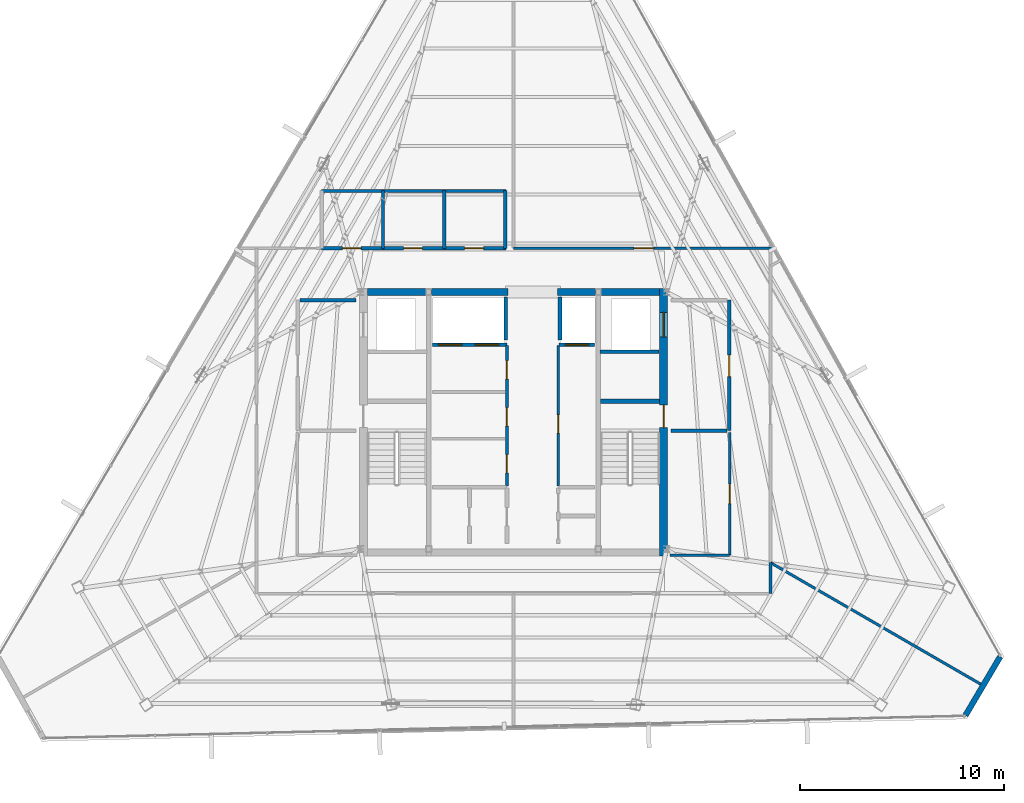
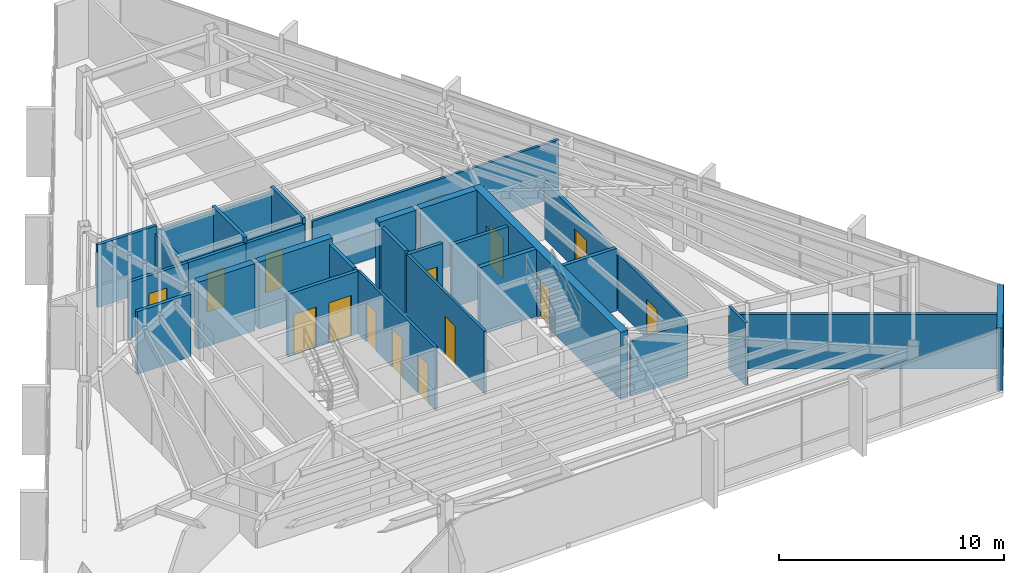
# One storey, part 45 of 48: 31 walls, 15 doors, 15 openings.
"""IFC4 building model written with IfcOpenShell, lengths in metres."""

from ifc_helpers import new_model, si_unit, direction, frame, frame_2d, origin, place, context, subcontext, project, spatial, rectangle, extrude, material, layer, layer_set, type_object, element, fill, save


model = new_model("IFC4")

# Units and contexts
model_context = context("Model", 3, precision=1e-05, world=origin(), true_north=direction((0.0, 1.0)))
body_context = subcontext(model_context, "Body", "Model", "MODEL_VIEW")
ifc_project = project(units=[si_unit("LENGTHUNIT", "METRE"), si_unit("AREAUNIT", "SQUARE_METRE"), si_unit("VOLUMEUNIT", "CUBIC_METRE"), si_unit("PLANEANGLEUNIT", "RADIAN"), si_unit("MASSUNIT", "GRAM", prefix="KILO")], contexts=[model_context])

# Site, building, storey
site_placement = place(None, origin())
site = spatial("IfcSite", under=ifc_project, at=site_placement, CompositionType="ELEMENT")
building_placement = place(site_placement, origin())
building = spatial("IfcBuilding", under=site, at=building_placement, Name="Caelisora Broadcast Tower", CompositionType="ELEMENT")
storey_placement = place(building_placement, frame((0.0, 0.0, 277.300048828125)))
storey = spatial("IfcBuildingStorey", under=building, at=storey_placement, Name="L73", CompositionType="ELEMENT", Elevation=277.300048828125)

# Wall, openings, doors
ifc_material_1 = material(Name="Concrete 40 MPa (AS 3600 N40)", Category="concrete")
ifc_layer_1 = layer(ifc_material_1, 0.39990234375, Name="Concrete 40 MPa (AS 3600 N40)")
ifc_layer_set_1 = layer_set([ifc_layer_1], Name="Concrete 40 MPa (AS 3600 N40)")
wall_type_1 = type_object("IfcWallType", Name="CW3", PredefinedType="SHEAR", material=ifc_layer_set_1)
wall_1_placement = place(storey_placement, frame((45.360107421875, 17.050048828125, 0.0), z_axis=(0.0, 0.0, 1.0), x_axis=(0.0, 1.0, 0.0)))
wall_1 = element("IfcWall", 1, at=wall_1_placement, inside=storey, type_object=wall_type_1, Name="L73 core shear wall CW3", PredefinedType="SHEAR", context=body_context, shape_type="SweptSolid", body=[
    extrude(rectangle(XDim=13.125, YDim=0.39990234375, at=frame_2d((6.5625, 0.0))), origin(), (0.0, 0.0, 1.0), 3.64990234375),
])
opening_1_placement = place(wall_1_placement, frame((6.300048828125, 0.0, 0.0)))
opening_1 = element("IfcOpeningElement", 2, at=opening_1_placement, cuts=wall_1, Name="Opening FD04", PredefinedType="OPENING", context=body_context, shape_type="SweptSolid", body=[
    extrude(rectangle(XDim=1.1201171875, YDim=2.14990234375, at=frame_2d((0.56005859375, 1.074951171875))), frame((0.0, 0.2119140625, 0.0), z_axis=(0.0, -1.0, 0.0), x_axis=(1.0, 0.0, 0.0)), (0.0, 0.0, 1.0), 0.423828125),
])
opening_2_placement = place(wall_1_placement, frame((10.75, 0.0, 0.0)))
opening_2 = element("IfcOpeningElement", 3, at=opening_2_placement, cuts=wall_1, Name="Opening LD04", PredefinedType="OPENING", context=body_context, shape_type="SweptSolid", body=[
    extrude(rectangle(XDim=1.199951171875, YDim=2.199951171875, at=frame_2d((0.60009765625, 1.10009765625))), frame((0.0, 0.2119140625, 0.0), z_axis=(0.0, -1.0, 0.0), x_axis=(1.0, 0.0, 0.0)), (0.0, 0.0, 1.0), 0.423828125),
])
ifc_material_2 = material(Name="Pressurised Fire-Isolated Stair Door", Category="steel")
door_type_1 = type_object("IfcDoorType", Name="FD04", OperationType="NOTDEFINED", PredefinedType="DOOR", material=ifc_material_2)
door_1_placement = place(opening_1_placement, origin())
door_1 = element("IfcDoor", 4, at=door_1_placement, inside=storey, type_object=door_type_1, Name="L73 door FD04 (L73-DR-ST2)", OperationType="SINGLE_SWING_RIGHT", OverallHeight=2.14990234375, OverallWidth=1.1201171875, PredefinedType="DOOR", context=body_context, shape_type="SweptSolid", body=[
    extrude(rectangle(XDim=1.1201171875, YDim=2.14990234375, at=frame_2d((0.56005859375, 1.074951171875))), frame((0.0, 0.02490234375, 0.0), z_axis=(0.0, -1.0, 0.0), x_axis=(1.0, 0.0, 0.0)), (0.0, 0.0, 1.0), 0.050048828125),
])
fill(opening_1, door_1)
ifc_material_3 = material(Name="Emergency Firefighting Lift Sliding Landing Door", Category="steel")
door_type_2 = type_object("IfcDoorType", Name="LD04", OperationType="NOTDEFINED", PredefinedType="DOOR", material=ifc_material_3)
door_2_placement = place(opening_2_placement, origin())
door_2 = element("IfcDoor", 5, at=door_2_placement, inside=storey, type_object=door_type_2, Name="L73 door LD04 (L73-LD-FFL2)", OperationType="SLIDING_TO_RIGHT", OverallHeight=2.199951171875, OverallWidth=1.199951171875, PredefinedType="DOOR", context=body_context, shape_type="SweptSolid", body=[
    extrude(rectangle(XDim=1.199951171875, YDim=2.199951171875, at=frame_2d((0.60009765625, 1.10009765625))), frame((0.0, 0.02490234375, 0.0), z_axis=(0.0, -1.0, 0.0), x_axis=(1.0, 0.0, 0.0)), (0.0, 0.0, 1.0), 0.050048828125),
])
fill(opening_2, door_2)

# Walls
ifc_layer_2 = layer(ifc_material_1, 0.35009765625, Name="Concrete 40 MPa (AS 3600 N40)")
ifc_layer_set_2 = layer_set([ifc_layer_2], Name="Concrete 40 MPa (AS 3600 N40)")
wall_type_2 = type_object("IfcWallType", Name="CW6", PredefinedType="SHEAR", material=ifc_layer_set_2)
wall_2_placement = place(storey_placement, frame((30.840087890625, 30.0, 0.0), z_axis=(0.0, 0.0, 1.0), x_axis=(1.0, 0.0, 0.0)))
element("IfcWall", 6, at=wall_2_placement, inside=storey, type_object=wall_type_2, Name="L73 core shear wall CW6", PredefinedType="SHEAR", context=body_context, shape_type="SweptSolid", body=[
    extrude(rectangle(XDim=2.89990234375, YDim=0.35009765625, at=frame_2d((1.449951171875, 0.0))), origin(), (0.0, 0.0, 1.0), 3.64990234375),
])
wall_3_placement = place(storey_placement, frame((33.9599609375, 30.0, 0.0), z_axis=(0.0, 0.0, 1.0), x_axis=(1.0, 0.0, 0.0)))
element("IfcWall", 7, at=wall_3_placement, inside=storey, type_object=wall_type_2, Name="L73 core shear wall CW6", PredefinedType="SHEAR", context=body_context, shape_type="SweptSolid", body=[
    extrude(rectangle(XDim=3.780029296875, YDim=0.35009765625, at=frame_2d((1.89013671875, 0.0))), origin(), (0.0, 0.0, 1.0), 3.64990234375),
])
wall_4_placement = place(storey_placement, frame((40.159912109375, 30.0, 0.0), z_axis=(0.0, 0.0, 1.0), x_axis=(1.0, 0.0, 0.0)))
element("IfcWall", 8, at=wall_4_placement, inside=storey, type_object=wall_type_2, Name="L73 core shear wall CW6", PredefinedType="SHEAR", context=body_context, shape_type="SweptSolid", body=[
    extrude(rectangle(XDim=1.880126953125, YDim=0.35009765625, at=frame_2d((0.93994140625, 0.0))), origin(), (0.0, 0.0, 1.0), 3.64990234375),
])
wall_5_placement = place(storey_placement, frame((42.260009765625, 30.0, 0.0), z_axis=(0.0, 0.0, 1.0), x_axis=(1.0, 0.0, 0.0)))
element("IfcWall", 9, at=wall_5_placement, inside=storey, type_object=wall_type_2, Name="L73 core shear wall CW6", PredefinedType="SHEAR", context=body_context, shape_type="SweptSolid", body=[
    extrude(rectangle(XDim=2.89990234375, YDim=0.35009765625, at=frame_2d((1.449951171875, 0.0))), origin(), (0.0, 0.0, 1.0), 3.64990234375),
])
ifc_material_4 = material(Name="Concrete 50 MPa (AS 3600 S50)", Category="concrete")
ifc_layer_3 = layer(ifc_material_4, 0.219970703125, Name="Concrete 50 MPa (AS 3600 S50)")
ifc_layer_set_3 = layer_set([ifc_layer_3], Name="Concrete 50 MPa (AS 3600 S50)")
wall_type_3 = type_object("IfcWallType", Name="CW7", PredefinedType="SHEAR", material=ifc_layer_set_3)
wall_6_placement = place(storey_placement, frame((42.260009765625, 24.639892578125, 0.0), z_axis=(0.0, 0.0, 1.0), x_axis=(1.0, 0.0, 0.0)))
element("IfcWall", 10, at=wall_6_placement, inside=storey, type_object=wall_type_3, Name="L73 core shear wall CW7", PredefinedType="SHEAR", context=body_context, shape_type="SweptSolid", body=[
    extrude(rectangle(XDim=2.89990234375, YDim=0.219970703125, at=frame_2d((1.449951171875, 0.0))), origin(), (0.0, 0.0, 1.0), 3.64990234375),
])
ifc_material_5 = material(Name="Insulated Terracotta Spandrel Wall System", Category="masonry")
ifc_layer_4 = layer(ifc_material_5, 0.280029296875, Name="Insulated Terracotta Spandrel Wall System")
ifc_layer_set_4 = layer_set([ifc_layer_4], Name="Insulated Terracotta Spandrel Wall System")
wall_type_4 = type_object("IfcWallType", Name="EW1", PredefinedType="STANDARD", material=ifc_layer_set_4)
wall_7_placement = place(storey_placement, frame((61.86376953125, 12.1181640625, 0.0), z_axis=(0.0, 0.0, 1.0), x_axis=(-0.508591617567, -0.861007878327, 0.0)))
element("IfcWall", 11, at=wall_7_placement, inside=storey, type_object=wall_type_4, Name="L73 exterior envelope wall EW1", PredefinedType="STANDARD", context=body_context, shape_type="SweptSolid", body=[
    extrude(rectangle(XDim=3.345458984375, YDim=0.280029296875, at=frame_2d((1.6728515625, 0.0))), origin(), (0.0, 0.0, 1.0), 3.39990234375),
])

# Wall, openings, doors
ifc_material_6 = material(Name="Fire-Rated Gypsum Shaft and Compartment Wall", Category="gypsum")
ifc_layer_5 = layer(ifc_material_6, 0.179931640625, Name="Fire-Rated Gypsum Shaft and Compartment Wall")
ifc_layer_set_5 = layer_set([ifc_layer_5], Name="Fire-Rated Gypsum Shaft and Compartment Wall")
wall_type_5 = type_object("IfcWallType", Name="PW2", PredefinedType="PARTITIONING", material=ifc_layer_set_5)
wall_8_placement = place(storey_placement, frame((34.02001953125, 27.419921875, 0.0), z_axis=(0.0, 0.0, 1.0), x_axis=(1.0, 0.0, 0.0)))
wall_8 = element("IfcWall", 12, at=wall_8_placement, inside=storey, type_object=wall_type_5, Name="L73 fire compartment wall PW2", PredefinedType="PARTITIONING", context=body_context, shape_type="SweptSolid", body=[
    extrude(rectangle(XDim=3.659912109375, YDim=0.179931640625, at=frame_2d((1.830078125, 0.0))), origin(), (0.0, 0.0, 1.0), 3.39990234375),
])
opening_3_placement = place(wall_8_placement, frame((0.300048828125, 0.0, 0.0)))
opening_3 = element("IfcOpeningElement", 13, at=opening_3_placement, cuts=wall_8, Name="Opening LD02", PredefinedType="OPENING", context=body_context, shape_type="SweptSolid", body=[
    extrude(rectangle(XDim=1.14990234375, YDim=2.199951171875, at=frame_2d((0.574951171875, 1.10009765625))), frame((0.0, 0.10205078125, 0.0), z_axis=(0.0, -1.0, 0.0), x_axis=(1.0, 0.0, 0.0)), (0.0, 0.0, 1.0), 0.203857421875),
])
opening_4_placement = place(wall_8_placement, frame((2.10009765625, 0.0, 0.0)))
opening_4 = element("IfcOpeningElement", 14, at=opening_4_placement, cuts=wall_8, Name="Opening LD02", PredefinedType="OPENING", context=body_context, shape_type="SweptSolid", body=[
    extrude(rectangle(XDim=1.14990234375, YDim=2.199951171875, at=frame_2d((0.574951171875, 1.10009765625))), frame((0.0, 0.10205078125, 0.0), z_axis=(0.0, -1.0, 0.0), x_axis=(1.0, 0.0, 0.0)), (0.0, 0.0, 1.0), 0.203857421875),
])
ifc_material_7 = material(Name="High-Speed Express Lift Sliding Landing Door", Category="steel")
door_type_3 = type_object("IfcDoorType", Name="LD02", OperationType="NOTDEFINED", PredefinedType="DOOR", material=ifc_material_7)
door_3_placement = place(opening_3_placement, origin())
door_3 = element("IfcDoor", 15, at=door_3_placement, inside=storey, type_object=door_type_3, Name="L73 door LD02 (L73-LD-PLH1)", OperationType="SLIDING_TO_RIGHT", OverallHeight=2.199951171875, OverallWidth=1.14990234375, PredefinedType="DOOR", context=body_context, shape_type="SweptSolid", body=[
    extrude(rectangle(XDim=1.14990234375, YDim=2.199951171875, at=frame_2d((0.574951171875, 1.10009765625))), frame((0.0, 0.02490234375, 0.0), z_axis=(0.0, -1.0, 0.0), x_axis=(1.0, 0.0, 0.0)), (0.0, 0.0, 1.0), 0.050048828125),
])
fill(opening_3, door_3)
door_4_placement = place(opening_4_placement, origin())
door_4 = element("IfcDoor", 16, at=door_4_placement, inside=storey, type_object=door_type_3, Name="L73 door LD02 (L73-LD-PLH2)", OperationType="SLIDING_TO_LEFT", OverallHeight=2.199951171875, OverallWidth=1.14990234375, PredefinedType="DOOR", context=body_context, shape_type="SweptSolid", body=[
    extrude(rectangle(XDim=1.14990234375, YDim=2.199951171875, at=frame_2d((0.574951171875, 1.10009765625))), frame((0.0, 0.02490234375, 0.0), z_axis=(0.0, -1.0, 0.0), x_axis=(1.0, 0.0, 0.0)), (0.0, 0.0, 1.0), 0.050048828125),
])
fill(opening_4, door_4)

# Wall, opening, door
wall_9_placement = place(storey_placement, frame((40.219970703125, 27.419921875, 0.0), z_axis=(0.0, 0.0, 1.0), x_axis=(1.0, 0.0, 0.0)))
wall_9 = element("IfcWall", 17, at=wall_9_placement, inside=storey, type_object=wall_type_5, Name="L73 fire compartment wall PW2", PredefinedType="PARTITIONING", context=body_context, shape_type="SweptSolid", body=[
    extrude(rectangle(XDim=1.760009765625, YDim=0.179931640625, at=frame_2d((0.8798828125, 0.0))), origin(), (0.0, 0.0, 1.0), 3.39990234375),
])
opening_5_placement = place(wall_9_placement, frame((0.320068359375, 0.0, 0.0)))
opening_5 = element("IfcOpeningElement", 18, at=opening_5_placement, cuts=wall_9, Name="Opening LD02", PredefinedType="OPENING", context=body_context, shape_type="SweptSolid", body=[
    extrude(rectangle(XDim=1.14990234375, YDim=2.199951171875, at=frame_2d((0.574951171875, 1.10009765625))), frame((0.0, 0.10205078125, 0.0), z_axis=(0.0, -1.0, 0.0), x_axis=(1.0, 0.0, 0.0)), (0.0, 0.0, 1.0), 0.203857421875),
])
door_5_placement = place(opening_5_placement, origin())
door_5 = element("IfcDoor", 19, at=door_5_placement, inside=storey, type_object=door_type_3, Name="L73 door LD02 (L73-LD-PLH3)", OperationType="SLIDING_TO_RIGHT", OverallHeight=2.199951171875, OverallWidth=1.14990234375, PredefinedType="DOOR", context=body_context, shape_type="SweptSolid", body=[
    extrude(rectangle(XDim=1.14990234375, YDim=2.199951171875, at=frame_2d((0.574951171875, 1.10009765625))), frame((0.0, 0.02490234375, 0.0), z_axis=(0.0, -1.0, 0.0), x_axis=(1.0, 0.0, 0.0)), (0.0, 0.0, 1.0), 0.050048828125),
])
fill(opening_5, door_5)

# Walls
for number, where, z_axis, x_axis, name in (
    (20, (37.6201171875, 27.639892578125, 0.0), (0.0, 0.0, 1.0), (0.0, 1.0, 0.0), "L73 fire compartment wall PW2"),
    (21, (40.280029296875, 27.639892578125, 0.0), (0.0, 0.0, 1.0), (0.0, 1.0, 0.0), "L73 fire compartment wall PW2"),
):
    element("IfcWall", number, at=place(storey_placement, frame(where, z_axis=z_axis, x_axis=x_axis)), inside=storey, type_object=wall_type_5, Name=name, PredefinedType="PARTITIONING", context=body_context, shape_type="SweptSolid", body=[
        extrude(rectangle(XDim=2.110107421875, YDim=0.179931640625, at=frame_2d((1.05517578125, 0.0))), origin(), (0.0, 0.0, 1.0), 3.39990234375),
    ])
wall_10_placement = place(storey_placement, frame((27.52001953125, 29.60009765625, 0.0), z_axis=(0.0, 0.0, 1.0), x_axis=(1.0, 0.0, 0.0)))
element("IfcWall", 22, at=wall_10_placement, inside=storey, type_object=wall_type_5, Name="L73 fire compartment wall PW2", PredefinedType="PARTITIONING", context=body_context, shape_type="SweptSolid", body=[
    extrude(rectangle(XDim=2.760009765625, YDim=0.179931640625, at=frame_2d((1.3798828125, 0.0))), origin(), (0.0, 0.0, 1.0), 3.39990234375),
])

# Wall, opening, door
wall_11_placement = place(storey_placement, frame((48.580078125, 23.199951171875, 0.0), z_axis=(0.0, 0.0, 1.0), x_axis=(0.0, 1.0, 0.0)))
wall_11 = element("IfcWall", 23, at=wall_11_placement, inside=storey, type_object=wall_type_5, Name="L73 fire compartment wall PW2", PredefinedType="PARTITIONING", context=body_context, shape_type="SweptSolid", body=[
    extrude(rectangle(XDim=6.400146484375, YDim=0.179931640625, at=frame_2d((3.2001953125, 0.0))), origin(), (0.0, 0.0, 1.0), 3.0849609375),
])
opening_6_placement = place(wall_11_placement, frame((2.64990234375, 0.0, 0.0)))
opening_6 = element("IfcOpeningElement", 24, at=opening_6_placement, cuts=wall_11, Name="Opening FD02", PredefinedType="OPENING", context=body_context, shape_type="SweptSolid", body=[
    extrude(rectangle(XDim=1.050048828125, YDim=2.14990234375, at=frame_2d((0.52490234375, 1.074951171875))), frame((0.0, 0.10205078125, 0.0), z_axis=(0.0, -1.0, 0.0), x_axis=(1.0, 0.0, 0.0)), (0.0, 0.0, 1.0), 0.203857421875),
])
ifc_material_8 = material(Name="Single-Leaf Steel Fire Lobby Door", Category="steel")
door_type_4 = type_object("IfcDoorType", Name="FD02", OperationType="NOTDEFINED", PredefinedType="DOOR", material=ifc_material_8)
door_6_placement = place(opening_6_placement, origin())
door_6 = element("IfcDoor", 25, at=door_6_placement, inside=storey, type_object=door_type_4, Name="L73 door FD02 (L73-DR-P04D1)", OperationType="SINGLE_SWING_LEFT", OverallHeight=2.14990234375, OverallWidth=1.050048828125, PredefinedType="DOOR", context=body_context, shape_type="SweptSolid", body=[
    extrude(rectangle(XDim=1.050048828125, YDim=2.14990234375, at=frame_2d((0.52490234375, 1.074951171875))), frame((0.0, 0.02490234375, 0.0), z_axis=(0.0, -1.0, 0.0), x_axis=(1.0, 0.0, 0.0)), (0.0, 0.0, 1.0), 0.050048828125),
])
fill(opening_6, door_6)

# Walls
wall_12_placement = place(storey_placement, frame((45.719970703125, 23.199951171875, 0.0), z_axis=(0.0, 0.0, 1.0), x_axis=(1.0, 0.0, 0.0)))
element("IfcWall", 26, at=wall_12_placement, inside=storey, type_object=wall_type_5, Name="L73 fire compartment wall PW2", PredefinedType="PARTITIONING", context=body_context, shape_type="SweptSolid", body=[
    extrude(rectangle(XDim=2.760009765625, YDim=0.179931640625, at=frame_2d((1.3798828125, 0.0))), origin(), (0.0, 0.0, 1.0), 3.39990234375),
])
wall_13_placement = place(storey_placement, frame((42.239990234375, 27.070068359375, 0.0), z_axis=(0.0, 0.0, 1.0), x_axis=(1.0, 0.0, 0.0)))
element("IfcWall", 27, at=wall_13_placement, inside=storey, type_object=wall_type_5, Name="L73 fire compartment wall PW2", PredefinedType="PARTITIONING", context=body_context, shape_type="SweptSolid", body=[
    extrude(rectangle(XDim=2.89990234375, YDim=0.179931640625, at=frame_2d((1.449951171875, 0.0))), origin(), (0.0, 0.0, 1.0), 3.39990234375),
])

# Wall, openings, doors
ifc_material_9 = material(Name="Acoustic Steel-Stud Plasterboard Partition", Category="gypsum")
ifc_layer_6 = layer(ifc_material_9, 0.1298828125, Name="Acoustic Steel-Stud Plasterboard Partition")
ifc_layer_set_6 = layer_set([ifc_layer_6], Name="Acoustic Steel-Stud Plasterboard Partition")
wall_type_6 = type_object("IfcWallType", Name="PW3", PredefinedType="PARTITIONING", material=ifc_layer_set_6)
wall_14_placement = place(storey_placement, frame((37.679931640625, 20.47998046875, 0.0), z_axis=(0.0, 0.0, 1.0), x_axis=(0.0, 1.0, 0.0)))
wall_14 = element("IfcWall", 28, at=wall_14_placement, inside=storey, type_object=wall_type_6, Name="L73 internal partition PW3", PredefinedType="PARTITIONING", context=body_context, shape_type="SweptSolid", body=[
    extrude(rectangle(XDim=6.89990234375, YDim=0.1298828125, at=frame_2d((3.449951171875, 0.0))), origin(), (0.0, 0.0, 1.0), 3.39990234375),
])
opening_7_placement = place(wall_14_placement, frame((0.64990234375, 0.0, 0.0)))
opening_7 = element("IfcOpeningElement", 29, at=opening_7_placement, cuts=wall_14, Name="Opening FD03", PredefinedType="OPENING", context=body_context, shape_type="SweptSolid", body=[
    extrude(rectangle(XDim=0.89990234375, YDim=2.10009765625, at=frame_2d((0.449951171875, 1.050048828125))), frame((0.0, 0.076904296875, 0.0), z_axis=(0.0, -1.0, 0.0), x_axis=(1.0, 0.0, 0.0)), (0.0, 0.0, 1.0), 0.15380859375),
])
opening_8_placement = place(wall_14_placement, frame((2.949951171875, 0.0, 0.0)))
opening_8 = element("IfcOpeningElement", 30, at=opening_8_placement, cuts=wall_14, Name="Opening FD03", PredefinedType="OPENING", context=body_context, shape_type="SweptSolid", body=[
    extrude(rectangle(XDim=0.89990234375, YDim=2.10009765625, at=frame_2d((0.449951171875, 1.050048828125))), frame((0.0, 0.076904296875, 0.0), z_axis=(0.0, -1.0, 0.0), x_axis=(1.0, 0.0, 0.0)), (0.0, 0.0, 1.0), 0.15380859375),
])
opening_9_placement = place(wall_14_placement, frame((5.25, 0.0, 0.0)))
opening_9 = element("IfcOpeningElement", 31, at=opening_9_placement, cuts=wall_14, Name="Opening FD03", PredefinedType="OPENING", context=body_context, shape_type="SweptSolid", body=[
    extrude(rectangle(XDim=0.89990234375, YDim=2.10009765625, at=frame_2d((0.449951171875, 1.050048828125))), frame((0.0, 0.076904296875, 0.0), z_axis=(0.0, -1.0, 0.0), x_axis=(1.0, 0.0, 0.0)), (0.0, 0.0, 1.0), 0.15380859375),
])
ifc_material_10 = material(Name="Single-Leaf Steel Riser Fire Access Door", Category="steel")
door_type_5 = type_object("IfcDoorType", Name="FD03", OperationType="NOTDEFINED", PredefinedType="DOOR", material=ifc_material_10)
door_7_placement = place(opening_7_placement, origin())
door_7 = element("IfcDoor", 32, at=door_7_placement, inside=storey, type_object=door_type_5, Name="L73 door FD03 (L73-DR-P13D1)", OperationType="SINGLE_SWING_RIGHT", OverallHeight=2.10009765625, OverallWidth=0.89990234375, PredefinedType="DOOR", context=body_context, shape_type="SweptSolid", body=[
    extrude(rectangle(XDim=0.89990234375, YDim=2.10009765625, at=frame_2d((0.449951171875, 1.050048828125))), frame((0.0, 0.02490234375, 0.0), z_axis=(0.0, -1.0, 0.0), x_axis=(1.0, 0.0, 0.0)), (0.0, 0.0, 1.0), 0.050048828125),
])
fill(opening_7, door_7)
door_8_placement = place(opening_8_placement, origin())
door_8 = element("IfcDoor", 33, at=door_8_placement, inside=storey, type_object=door_type_5, Name="L73 door FD03 (L73-DR-P13D2)", OperationType="SINGLE_SWING_LEFT", OverallHeight=2.10009765625, OverallWidth=0.89990234375, PredefinedType="DOOR", context=body_context, shape_type="SweptSolid", body=[
    extrude(rectangle(XDim=0.89990234375, YDim=2.10009765625, at=frame_2d((0.449951171875, 1.050048828125))), frame((0.0, 0.02490234375, 0.0), z_axis=(0.0, -1.0, 0.0), x_axis=(1.0, 0.0, 0.0)), (0.0, 0.0, 1.0), 0.050048828125),
])
fill(opening_8, door_8)
door_9_placement = place(opening_9_placement, origin())
door_9 = element("IfcDoor", 34, at=door_9_placement, inside=storey, type_object=door_type_5, Name="L73 door FD03 (L73-DR-P13D3)", OperationType="SINGLE_SWING_RIGHT", OverallHeight=2.10009765625, OverallWidth=0.89990234375, PredefinedType="DOOR", context=body_context, shape_type="SweptSolid", body=[
    extrude(rectangle(XDim=0.89990234375, YDim=2.10009765625, at=frame_2d((0.449951171875, 1.050048828125))), frame((0.0, 0.02490234375, 0.0), z_axis=(0.0, -1.0, 0.0), x_axis=(1.0, 0.0, 0.0)), (0.0, 0.0, 1.0), 0.050048828125),
])
fill(opening_9, door_9)

# Wall, opening, door
wall_15_placement = place(storey_placement, frame((40.199951171875, 20.47998046875, 0.0), z_axis=(0.0, 0.0, 1.0), x_axis=(0.0, 1.0, 0.0)))
wall_15 = element("IfcWall", 35, at=wall_15_placement, inside=storey, type_object=wall_type_6, Name="L73 internal partition PW3", PredefinedType="PARTITIONING", context=body_context, shape_type="SweptSolid", body=[
    extrude(rectangle(XDim=6.89990234375, YDim=0.1298828125, at=frame_2d((3.449951171875, 0.0))), origin(), (0.0, 0.0, 1.0), 3.39990234375),
])
opening_10_placement = place(wall_15_placement, frame((2.60009765625, 0.0, 0.0)))
opening_10 = element("IfcOpeningElement", 36, at=opening_10_placement, cuts=wall_15, Name="Opening FD03", PredefinedType="OPENING", context=body_context, shape_type="SweptSolid", body=[
    extrude(rectangle(XDim=0.89990234375, YDim=2.10009765625, at=frame_2d((0.449951171875, 1.050048828125))), frame((0.0, 0.076904296875, 0.0), z_axis=(0.0, -1.0, 0.0), x_axis=(1.0, 0.0, 0.0)), (0.0, 0.0, 1.0), 0.15380859375),
])
door_10_placement = place(opening_10_placement, origin())
door_10 = element("IfcDoor", 37, at=door_10_placement, inside=storey, type_object=door_type_5, Name="L73 door FD03 (L73-DR-P14D1)", OperationType="SINGLE_SWING_LEFT", OverallHeight=2.10009765625, OverallWidth=0.89990234375, PredefinedType="DOOR", context=body_context, shape_type="SweptSolid", body=[
    extrude(rectangle(XDim=0.89990234375, YDim=2.10009765625, at=frame_2d((0.449951171875, 1.050048828125))), frame((0.0, 0.02490234375, 0.0), z_axis=(0.0, -1.0, 0.0), x_axis=(1.0, 0.0, 0.0)), (0.0, 0.0, 1.0), 0.050048828125),
])
fill(opening_10, door_10)

wall_16_placement = place(storey_placement, frame((50.684814453125, 32.14990234375, 0.0), z_axis=(0.0, 0.0, 1.0), x_axis=(-1.0, 0.0, 0.0)))
wall_16 = element("IfcWall", 38, at=wall_16_placement, inside=storey, type_object=wall_type_6, Name="L73 internal partition PW3", PredefinedType="PARTITIONING", context=body_context, shape_type="SweptSolid", body=[
    extrude(rectangle(XDim=12.679931640625, YDim=0.1298828125, at=frame_2d((6.33984375, 0.0))), origin(), (0.0, 0.0, 1.0), 3.0849609375),
])
opening_11_placement = place(wall_16_placement, frame((5.81689453125, 0.0, 0.0)))
opening_11 = element("IfcOpeningElement", 39, at=opening_11_placement, cuts=wall_16, Name="Opening D01", PredefinedType="OPENING", context=body_context, shape_type="SweptSolid", body=[
    extrude(rectangle(XDim=0.9599609375, YDim=2.14990234375, at=frame_2d((0.47998046875, 1.074951171875))), frame((0.0, 0.076904296875, 0.0), z_axis=(0.0, -1.0, 0.0), x_axis=(1.0, 0.0, 0.0)), (0.0, 0.0, 1.0), 0.15380859375),
])
ifc_material_11 = material(Name="Solid-Core Timber Acoustic Office Door", Category="wood")
door_type_6 = type_object("IfcDoorType", Name="D01", OperationType="NOTDEFINED", PredefinedType="DOOR", material=ifc_material_11)
door_11_placement = place(opening_11_placement, origin())
door_11 = element("IfcDoor", 40, at=door_11_placement, inside=storey, type_object=door_type_6, Name="L73 door D01 (L73-DR-P33D1)", OperationType="SINGLE_SWING_LEFT", OverallHeight=2.14990234375, OverallWidth=0.9599609375, PredefinedType="DOOR", context=body_context, shape_type="SweptSolid", body=[
    extrude(rectangle(XDim=0.9599609375, YDim=2.14990234375, at=frame_2d((0.47998046875, 1.074951171875))), frame((0.0, 0.02490234375, 0.0), z_axis=(0.0, -1.0, 0.0), x_axis=(1.0, 0.0, 0.0)), (0.0, 0.0, 1.0), 0.050048828125),
])
fill(opening_11, door_11)

# Wall
wall_17_placement = place(storey_placement, frame((50.60400390625, 16.72705078125, 0.0), z_axis=(0.0, 0.0, 1.0), x_axis=(0.865822923688, -0.500350541937, 0.0)))
element("IfcWall", 41, at=wall_17_placement, inside=storey, type_object=wall_type_6, Name="L73 internal partition PW3", PredefinedType="PARTITIONING", context=body_context, shape_type="SweptSolid", body=[
    extrude(rectangle(XDim=12.044189453125, YDim=0.1298828125, at=frame_2d((6.02197265625, 0.0))), origin(), (0.0, 0.0, 1.0), 2.98486328125),
])

# Wall, opening, door
wall_18_placement = place(storey_placement, frame((48.60009765625, 17.10498046875, 0.0), z_axis=(0.0, 0.0, 1.0), x_axis=(0.0, 1.0, 0.0)))
wall_18 = element("IfcWall", 42, at=wall_18_placement, inside=storey, type_object=wall_type_6, Name="L73 internal partition PW3", PredefinedType="PARTITIONING", context=body_context, shape_type="SweptSolid", body=[
    extrude(rectangle(XDim=6.0, YDim=0.1298828125, at=frame_2d((3.0, 0.0))), origin(), (0.0, 0.0, 1.0), 3.0849609375),
])
opening_12_placement = place(wall_18_placement, frame((2.52001953125, 0.0, 0.0)))
opening_12 = element("IfcOpeningElement", 43, at=opening_12_placement, cuts=wall_18, Name="Opening D01", PredefinedType="OPENING", context=body_context, shape_type="SweptSolid", body=[
    extrude(rectangle(XDim=0.9599609375, YDim=2.14990234375, at=frame_2d((0.47998046875, 1.074951171875))), frame((0.0, 0.076904296875, 0.0), z_axis=(0.0, -1.0, 0.0), x_axis=(1.0, 0.0, 0.0)), (0.0, 0.0, 1.0), 0.15380859375),
])
door_12_placement = place(opening_12_placement, origin())
door_12 = element("IfcDoor", 44, at=door_12_placement, inside=storey, type_object=door_type_6, Name="L73 door D01 (L73-DR-P41D1)", OperationType="SINGLE_SWING_LEFT", OverallHeight=2.14990234375, OverallWidth=0.9599609375, PredefinedType="DOOR", context=body_context, shape_type="SweptSolid", body=[
    extrude(rectangle(XDim=0.9599609375, YDim=2.14990234375, at=frame_2d((0.47998046875, 1.074951171875))), frame((0.0, 0.02490234375, 0.0), z_axis=(0.0, -1.0, 0.0), x_axis=(1.0, 0.0, 0.0)), (0.0, 0.0, 1.0), 0.050048828125),
])
fill(opening_12, door_12)

# Walls
wall_19_placement = place(storey_placement, frame((45.675048828125, 17.10009765625, 0.0), z_axis=(0.0, 0.0, 1.0), x_axis=(1.0, 0.0, 0.0)))
element("IfcWall", 45, at=wall_19_placement, inside=storey, type_object=wall_type_6, Name="L73 internal partition PW3", PredefinedType="PARTITIONING", context=body_context, shape_type="SweptSolid", body=[
    extrude(rectangle(XDim=2.919921875, YDim=0.1298828125, at=frame_2d((1.4599609375, 0.0))), origin(), (0.0, 0.0, 1.0), 2.98486328125),
])
wall_20_placement = place(storey_placement, frame((50.60009765625, 15.205078125, 0.0), z_axis=(0.0, 0.0, 1.0), x_axis=(0.0, 1.0, 0.0)))
element("IfcWall", 46, at=wall_20_placement, inside=storey, type_object=wall_type_6, Name="L73 internal partition PW3", PredefinedType="PARTITIONING", context=body_context, shape_type="SweptSolid", body=[
    extrude(rectangle(XDim=1.52001953125, YDim=0.1298828125, at=frame_2d((0.760009765625, 0.0))), origin(), (0.0, 0.0, 1.0), 3.39990234375),
])

# Wall, opening, door
ifc_material_12 = material(Name="Moisture-Resistant Wet Plumbing Service Wall", Category="gypsum")
ifc_layer_7 = layer(ifc_material_12, 0.159912109375, Name="Moisture-Resistant Wet Plumbing Service Wall")
ifc_layer_set_7 = layer_set([ifc_layer_7], Name="Moisture-Resistant Wet Plumbing Service Wall")
wall_type_7 = type_object("IfcWallType", Name="PW4", PredefinedType="PLUMBINGWALL", material=ifc_layer_set_7)
wall_21_placement = place(storey_placement, frame((28.574951171875, 32.14990234375, 0.0), z_axis=(0.0, 0.0, 1.0), x_axis=(1.0, 0.0, 0.0)))
wall_21 = element("IfcWall", 47, at=wall_21_placement, inside=storey, type_object=wall_type_7, Name="L73 wet plumbing wall PW4", PredefinedType="PLUMBINGWALL", context=body_context, shape_type="SweptSolid", body=[
    extrude(rectangle(XDim=3.050048828125, YDim=0.159912109375, at=frame_2d((1.52490234375, 0.0))), origin(), (0.0, 0.0, 1.0), 3.0849609375),
])
opening_13_placement = place(wall_21_placement, frame((1.034912109375, 0.0, 0.0)))
opening_13 = element("IfcOpeningElement", 48, at=opening_13_placement, cuts=wall_21, Name="Opening D03", PredefinedType="OPENING", context=body_context, shape_type="SweptSolid", body=[
    extrude(rectangle(XDim=0.919921875, YDim=2.10009765625, at=frame_2d((0.4599609375, 1.050048828125))), frame((0.0, 0.092041015625, 0.0), z_axis=(0.0, -1.0, 0.0), x_axis=(1.0, 0.0, 0.0)), (0.0, 0.0, 1.0), 0.183837890625),
])
ifc_material_13 = material(Name="Laminate Moisture-Resistant Amenity WC Door", Category="wood")
door_type_7 = type_object("IfcDoorType", Name="D03", OperationType="NOTDEFINED", PredefinedType="DOOR", material=ifc_material_13)
door_13_placement = place(opening_13_placement, origin())
door_13 = element("IfcDoor", 49, at=door_13_placement, inside=storey, type_object=door_type_7, Name="L73 door D03 (L73-DR-P19D1)", OperationType="SINGLE_SWING_RIGHT", OverallHeight=2.10009765625, OverallWidth=0.919921875, PredefinedType="DOOR", context=body_context, shape_type="SweptSolid", body=[
    extrude(rectangle(XDim=0.919921875, YDim=2.10009765625, at=frame_2d((0.4599609375, 1.050048828125))), frame((0.0, 0.02490234375, 0.0), z_axis=(0.0, -1.0, 0.0), x_axis=(1.0, 0.0, 0.0)), (0.0, 0.0, 1.0), 0.050048828125),
])
fill(opening_13, door_13)

wall_22_placement = place(storey_placement, frame((31.574951171875, 32.14990234375, 0.0), z_axis=(0.0, 0.0, 1.0), x_axis=(1.0, 0.0, 0.0)))
wall_22 = element("IfcWall", 50, at=wall_22_placement, inside=storey, type_object=wall_type_7, Name="L73 wet plumbing wall PW4", PredefinedType="PLUMBINGWALL", context=body_context, shape_type="SweptSolid", body=[
    extrude(rectangle(XDim=3.050048828125, YDim=0.159912109375, at=frame_2d((1.52490234375, 0.0))), origin(), (0.0, 0.0, 1.0), 3.0849609375),
])
opening_14_placement = place(wall_22_placement, frame((1.034912109375, 0.0, 0.0)))
opening_14 = element("IfcOpeningElement", 51, at=opening_14_placement, cuts=wall_22, Name="Opening D03", PredefinedType="OPENING", context=body_context, shape_type="SweptSolid", body=[
    extrude(rectangle(XDim=0.919921875, YDim=2.10009765625, at=frame_2d((0.4599609375, 1.050048828125))), frame((0.0, 0.092041015625, 0.0), z_axis=(0.0, -1.0, 0.0), x_axis=(1.0, 0.0, 0.0)), (0.0, 0.0, 1.0), 0.183837890625),
])
door_14_placement = place(opening_14_placement, origin())
door_14 = element("IfcDoor", 52, at=door_14_placement, inside=storey, type_object=door_type_7, Name="L73 door D03 (L73-DR-P20D1)", OperationType="SINGLE_SWING_LEFT", OverallHeight=2.10009765625, OverallWidth=0.919921875, PredefinedType="DOOR", context=body_context, shape_type="SweptSolid", body=[
    extrude(rectangle(XDim=0.919921875, YDim=2.10009765625, at=frame_2d((0.4599609375, 1.050048828125))), frame((0.0, 0.02490234375, 0.0), z_axis=(0.0, -1.0, 0.0), x_axis=(1.0, 0.0, 0.0)), (0.0, 0.0, 1.0), 0.050048828125),
])
fill(opening_14, door_14)

wall_23_placement = place(storey_placement, frame((34.574951171875, 32.14990234375, 0.0), z_axis=(0.0, 0.0, 1.0), x_axis=(1.0, 0.0, 0.0)))
wall_23 = element("IfcWall", 53, at=wall_23_placement, inside=storey, type_object=wall_type_7, Name="L73 wet plumbing wall PW4", PredefinedType="PLUMBINGWALL", context=body_context, shape_type="SweptSolid", body=[
    extrude(rectangle(XDim=3.050048828125, YDim=0.159912109375, at=frame_2d((1.52490234375, 0.0))), origin(), (0.0, 0.0, 1.0), 3.0849609375),
])
opening_15_placement = place(wall_23_placement, frame((1.034912109375, 0.0, 0.0)))
opening_15 = element("IfcOpeningElement", 54, at=opening_15_placement, cuts=wall_23, Name="Opening D03", PredefinedType="OPENING", context=body_context, shape_type="SweptSolid", body=[
    extrude(rectangle(XDim=0.919921875, YDim=2.10009765625, at=frame_2d((0.4599609375, 1.050048828125))), frame((0.0, 0.092041015625, 0.0), z_axis=(0.0, -1.0, 0.0), x_axis=(1.0, 0.0, 0.0)), (0.0, 0.0, 1.0), 0.183837890625),
])
door_15_placement = place(opening_15_placement, origin())
door_15 = element("IfcDoor", 55, at=door_15_placement, inside=storey, type_object=door_type_7, Name="L73 door D03 (L73-DR-P21D1)", OperationType="SINGLE_SWING_RIGHT", OverallHeight=2.10009765625, OverallWidth=0.919921875, PredefinedType="DOOR", context=body_context, shape_type="SweptSolid", body=[
    extrude(rectangle(XDim=0.919921875, YDim=2.10009765625, at=frame_2d((0.4599609375, 1.050048828125))), frame((0.0, 0.02490234375, 0.0), z_axis=(0.0, -1.0, 0.0), x_axis=(1.0, 0.0, 0.0)), (0.0, 0.0, 1.0), 0.050048828125),
])
fill(opening_15, door_15)

# Walls
wall_24_placement = place(storey_placement, frame((28.574951171875, 34.949951171875, 0.0), z_axis=(0.0, 0.0, 1.0), x_axis=(1.0, 0.0, 0.0)))
element("IfcWall", 56, at=wall_24_placement, inside=storey, type_object=wall_type_7, Name="L73 wet plumbing wall PW4", PredefinedType="PLUMBINGWALL", context=body_context, shape_type="SweptSolid", body=[
    extrude(rectangle(XDim=3.050048828125, YDim=0.159912109375, at=frame_2d((1.52490234375, 0.0))), origin(), (0.0, 0.0, 1.0), 3.39990234375),
])
for number, where, z_axis, x_axis, name in (
    (57, (31.574951171875, 34.949951171875, 0.0), (0.0, 0.0, 1.0), (1.0, 0.0, 0.0), "L73 wet plumbing wall PW4"),
    (58, (37.625, 34.949951171875, 0.0), (0.0, 0.0, 1.0), (-1.0, 0.0, 0.0), "L73 wet plumbing wall PW4"),
):
    element("IfcWall", number, at=place(storey_placement, frame(where, z_axis=z_axis, x_axis=x_axis)), inside=storey, type_object=wall_type_7, Name=name, PredefinedType="PLUMBINGWALL", context=body_context, shape_type="SweptSolid", body=[
        extrude(rectangle(XDim=3.050048828125, YDim=0.159912109375, at=frame_2d((1.52490234375, 0.0))), origin(), (0.0, 0.0, 1.0), 3.0849609375),
    ])
wall_25_placement = place(storey_placement, frame((31.60009765625, 32.125, 0.0), z_axis=(0.0, 0.0, 1.0), x_axis=(0.0, 1.0, 0.0)))
element("IfcWall", 59, at=wall_25_placement, inside=storey, type_object=wall_type_7, Name="L73 wet plumbing wall PW4", PredefinedType="PLUMBINGWALL", context=body_context, shape_type="SweptSolid", body=[
    extrude(rectangle(XDim=2.85009765625, YDim=0.159912109375, at=frame_2d((1.425048828125, 0.0))), origin(), (0.0, 0.0, 1.0), 2.98486328125),
])
for number, where, z_axis, x_axis, name in (
    (60, (34.60009765625, 32.125, 0.0), (0.0, 0.0, 1.0), (0.0, 1.0, 0.0), "L73 wet plumbing wall PW4"),
    (61, (37.60009765625, 32.125, 0.0), (0.0, 0.0, 1.0), (0.0, 1.0, 0.0), "L73 wet plumbing wall PW4"),
):
    element("IfcWall", number, at=place(storey_placement, frame(where, z_axis=z_axis, x_axis=x_axis)), inside=storey, type_object=wall_type_7, Name=name, PredefinedType="PLUMBINGWALL", context=body_context, shape_type="SweptSolid", body=[
        extrude(rectangle(XDim=2.85009765625, YDim=0.159912109375, at=frame_2d((1.425048828125, 0.0))), origin(), (0.0, 0.0, 1.0), 3.39990234375),
    ])

save(model, "model.ifc")
